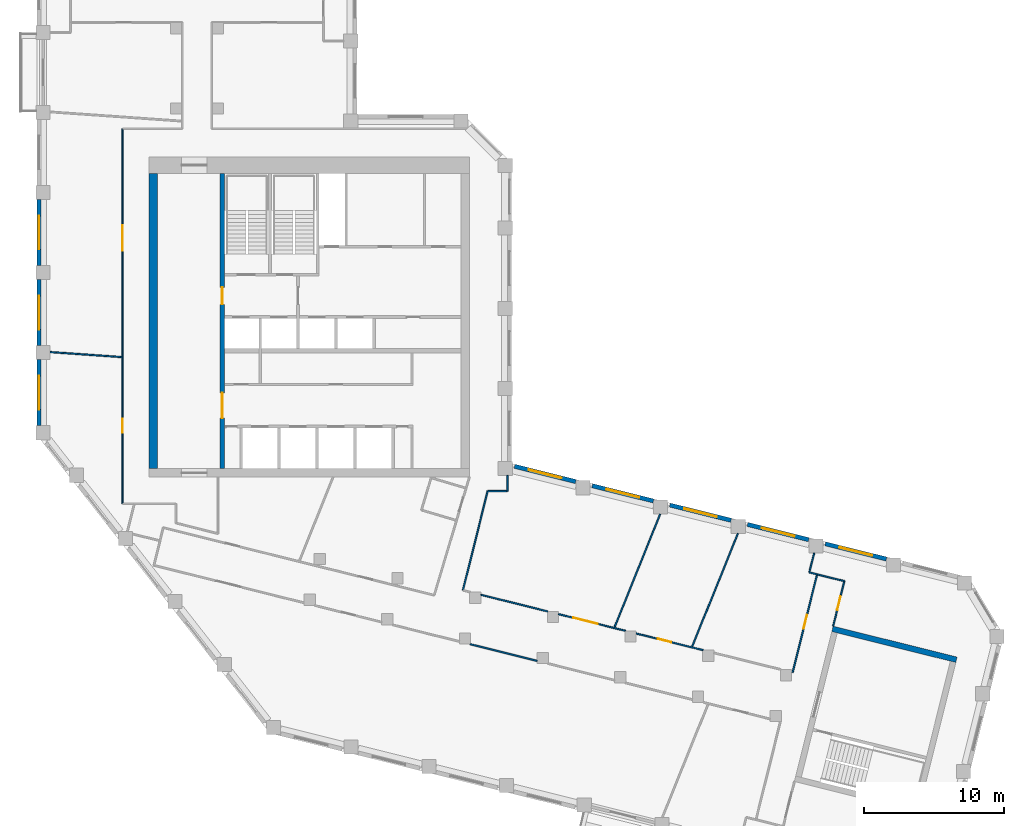
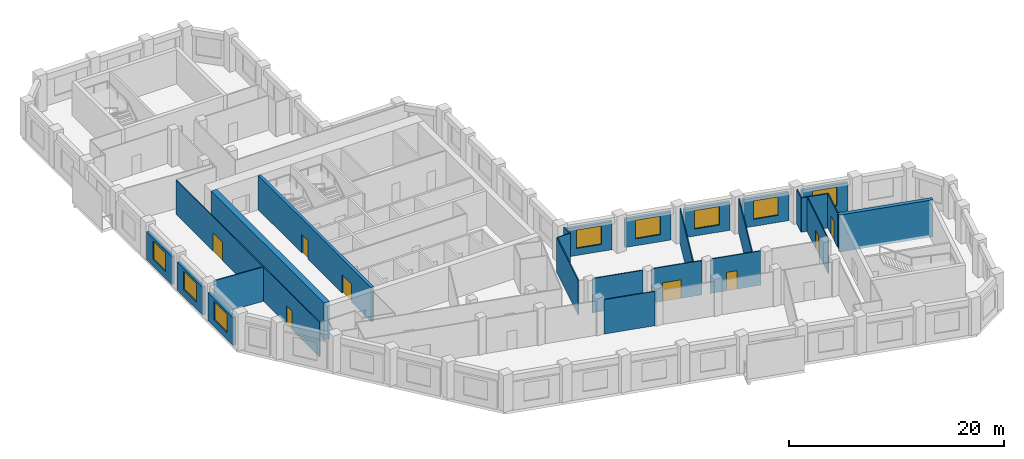
# One storey, part 4 of 9: 27 walls, 8 doors, 8 windows, 16 openings.
"""IFC4 building model written with IfcOpenShell, lengths in metres."""

import ifcopenshell
import ifcopenshell.guid

model = None  # the IFC model being written
_history = None  # IfcOwnerHistory: only IFC2X3 demands one
_inside = {}  # id of a spatial element -> (the spatial element, [elements in it])
_under = {}  # id of a project, library or spatial element -> (it, [spatial elements below it])
_declared = {}  # id of a project -> (the project, [libraries it declares])
_typed = {}  # id of a type object -> (the type object, [elements of that type])
_made_of = {}  # id of a material, layer set ... -> (it, [elements and type objects made of it])


def new_model(schema):
    """Start an empty IFC model of exactly this schema.

    Asked for "IFC4X3", IfcOpenShell would pick the latest addendum, in which some entities
    have other attributes; the version numbers below select the first issue.
    IFC2X3 requires an IfcOwnerHistory on every rooted entity: one is made here for all.
    """
    global model, _history
    if schema == "IFC4X3":
        model = ifcopenshell.file(schema_version=(4, 3, 0, 0))
    else:
        model = ifcopenshell.file(schema=schema)
    _inside.clear()
    _under.clear()
    _declared.clear()
    _typed.clear()
    _made_of.clear()
    _history = None
    if model.schema == "IFC2X3":
        org = make("IfcOrganization", Name="unknown")
        user = make(
            "IfcPersonAndOrganization",
            ThePerson=make("IfcPerson", FamilyName="unknown"),
            TheOrganization=org,
        )
        app = make(
            "IfcApplication",
            ApplicationDeveloper=org,
            Version="unknown",
            ApplicationFullName="unknown",
            ApplicationIdentifier="unknown",
        )
        _history = make(
            "IfcOwnerHistory",
            OwningUser=user,
            OwningApplication=app,
            ChangeAction="ADDED",
            CreationDate=0,
        )
    return model


def make(cls, **values):
    """One entity of the class cls with the attributes given. An attribute that is None is left unset."""
    return model.create_entity(
        cls, **{name: value for name, value in values.items() if value is not None}
    )


def rooted(cls, **values):
    """An entity with a GlobalId (a new one), such as an element, a storey or a relation."""
    return make(cls, GlobalId=ifcopenshell.guid.new(), OwnerHistory=_history, **values)


def si_unit(unit_type, name, prefix=None):
    """IfcSIUnit, for example si_unit("LENGTHUNIT", "METRE", prefix="MILLI")."""
    return make("IfcSIUnit", UnitType=unit_type, Prefix=prefix, Name=name)


def assignment(units):
    """IfcUnitAssignment: the units of a project."""
    return None if units is None else make("IfcUnitAssignment", Units=units)


def point(xyz):
    """IfcCartesianPoint."""
    return None if xyz is None else make("IfcCartesianPoint", Coordinates=xyz)


def direction(xyz):
    """IfcDirection."""
    return None if xyz is None else make("IfcDirection", DirectionRatios=xyz)


def frame(location, z_axis=None, x_axis=None):
    """IfcAxis2Placement3D, a coordinate frame: its origin and axes. An axis left out is left unset."""
    return make(
        "IfcAxis2Placement3D",
        Location=point(location),
        Axis=direction(z_axis),
        RefDirection=direction(x_axis),
    )


def frame_2d(location, x_axis=None):
    """IfcAxis2Placement2D, a coordinate frame in the plane: its origin and x axis."""
    return make(
        "IfcAxis2Placement2D", Location=point(location), RefDirection=direction(x_axis)
    )


def origin():
    """The frame at (0, 0, 0) with its axes left unset."""
    return frame((0.0, 0.0, 0.0))


def place(relative_to, where):
    """IfcLocalPlacement: puts the frame where relative to a parent placement (None: the world)."""
    return make(
        "IfcLocalPlacement", PlacementRelTo=relative_to, RelativePlacement=where
    )


def context(
    kind, dimensions, precision=None, world=None, true_north=None, identifier=None
):
    """IfcGeometricRepresentationContext, for example the 3D "Model" context."""
    return make(
        "IfcGeometricRepresentationContext",
        ContextIdentifier=identifier,
        ContextType=kind,
        CoordinateSpaceDimension=dimensions,
        Precision=precision,
        WorldCoordinateSystem=world,
        TrueNorth=true_north,
    )


def subcontext(parent, identifier, kind, view, scale=None):
    """IfcGeometricRepresentationSubContext, for example "Body" below "Model"."""
    return make(
        "IfcGeometricRepresentationSubContext",
        ContextIdentifier=identifier,
        ContextType=kind,
        ParentContext=parent,
        TargetScale=scale,
        TargetView=view,
    )


def project(units=None, contexts=None):
    """IfcProject with its units and contexts."""
    return rooted(
        "IfcProject",
        Name="project",
        RepresentationContexts=contexts,
        UnitsInContext=assignment(units),
    )


def spatial(cls, under=None, at=None, **own):
    """A site, building, storey or space (cls), placed at a placement, below another one or the project."""
    s = rooted(cls, ObjectPlacement=at, **own)
    if under is not None:
        _under.setdefault(under.id(), (under, []))[1].append(s)
    return s


def profile(cls, at=None, kind="AREA", **sizes):
    """A parametric profile (cls). Its sizes go by their IFC names, for example OverallWidth=200.0."""
    return make(cls, ProfileType=kind, Position=at, **sizes)


def rectangle(**sizes):
    """IfcRectangleProfileDef."""
    return profile("IfcRectangleProfileDef", **sizes)


def extrude(swept, where, along, depth):
    """IfcExtrudedAreaSolid: the profile swept, set in the frame where, extruded along a direction by depth."""
    return make(
        "IfcExtrudedAreaSolid",
        SweptArea=swept,
        Position=where,
        ExtrudedDirection=direction(along),
        Depth=depth,
    )


def shape(context_of_items, identifier, shape_type, items):
    """IfcShapeRepresentation: the items that make up one representation, for example the "Body"."""
    return make(
        "IfcShapeRepresentation",
        ContextOfItems=context_of_items,
        RepresentationIdentifier=identifier,
        RepresentationType=shape_type,
        Items=items,
    )


def material(Name=None, Category=None):
    """IfcMaterial."""
    return make("IfcMaterial", Name=Name, Category=Category)


def layer(
    of_material, thickness, ventilated=None, Name=None, Category=None, Priority=None
):
    """IfcMaterialLayer: one layer of a wall or slab, of a material (None: an air gap)."""
    return make(
        "IfcMaterialLayer",
        Material=of_material,
        LayerThickness=thickness,
        IsVentilated=ventilated,
        Name=Name,
        Category=Category,
        Priority=Priority,
    )


def layer_set(layers, Name=None):
    """IfcMaterialLayerSet."""
    return make("IfcMaterialLayerSet", MaterialLayers=layers, LayerSetName=Name)


def made_of(thing, what):
    """Note that an element or type object is made of a material, layer set ...; save() writes the relation."""
    if what is not None:
        _made_of.setdefault(what.id(), (what, []))[1].append(thing)
    return thing


def type_object(cls, material=None, **own):
    """A type object (cls), such as IfcWallType, which elements share."""
    return made_of(rooted(cls, **own), material)


def element(
    cls,
    number,
    at=None,
    inside=None,
    cuts=None,
    type_object=None,
    material=None,
    context=None,
    identifier="Body",
    shape_type=None,
    held_by="IfcProductDefinitionShape",
    body=None,
    shapes=None,
    **own,
):
    """One element of the class cls, such as IfcWall. Its Tag is "e" and its number.

    at: its placement. inside: the storey or other place that contains it. cuts: it is an
    opening in that element (IfcRelVoidsElement). A single representation is given by context,
    identifier, shape_type and body (its items); several are given by shapes. held_by: the class
    of the entity that holds the representations. save() writes the other relations.
    """
    e = rooted(cls, Tag="e%d" % number, ObjectPlacement=at, **own)
    if body is not None:
        shapes = [shape(context, identifier, shape_type, body)]
    if shapes is not None:
        e.Representation = make(held_by, Representations=shapes)
    if inside is not None:
        _inside.setdefault(inside.id(), (inside, []))[1].append(e)
    if cuts is not None:
        rooted(
            "IfcRelVoidsElement", RelatingBuildingElement=cuts, RelatedOpeningElement=e
        )
    if type_object is not None:
        _typed.setdefault(type_object.id(), (type_object, []))[1].append(e)
    return made_of(e, material)


def fill(opening, filler):
    """IfcRelFillsElement: the door or window that sits in an opening."""
    return rooted(
        "IfcRelFillsElement",
        RelatingOpeningElement=opening,
        RelatedBuildingElement=filler,
    )


def aggregate(whole, parts):
    """IfcRelAggregates: a whole, such as a stair, and the parts it consists of."""
    return rooted("IfcRelAggregates", RelatingObject=whole, RelatedObjects=parts)


def save(model, path):
    """Write the relations noted so far, then the file.

    IfcRelAggregates (storeys below a building ...), IfcRelContainedInSpatialStructure (elements
    in a storey), IfcRelDefinesByType, IfcRelAssociatesMaterial and IfcRelDeclares: one each for
    every whole, place, type object, material and project.
    """
    for whole, parts in _under.values():
        aggregate(whole, parts)
    for where, things in _inside.values():
        rooted(
            "IfcRelContainedInSpatialStructure",
            RelatedElements=things,
            RelatingStructure=where,
        )
    for kind, things in _typed.values():
        rooted("IfcRelDefinesByType", RelatedObjects=things, RelatingType=kind)
    for what, things in _made_of.values():
        rooted("IfcRelAssociatesMaterial", RelatedObjects=things, RelatingMaterial=what)
    for by, libraries in _declared.values():
        rooted("IfcRelDeclares", RelatingContext=by, RelatedDefinitions=libraries)
    model.write(path)


model = new_model("IFC4")

# Units and contexts
model_context = context("Model", 3, precision=1e-05, world=origin(), true_north=direction((0.0, 1.0)))
body_context = subcontext(model_context, "Body", "Model", "MODEL_VIEW")
ifc_project = project(units=[si_unit("LENGTHUNIT", "METRE"), si_unit("AREAUNIT", "SQUARE_METRE"), si_unit("VOLUMEUNIT", "CUBIC_METRE"), si_unit("PLANEANGLEUNIT", "RADIAN"), si_unit("MASSUNIT", "GRAM", prefix="KILO")], contexts=[model_context])

# Site, building, storey
site_placement = place(None, origin())
site = spatial("IfcSite", under=ifc_project, at=site_placement, CompositionType="ELEMENT")
building_placement = place(site_placement, origin())
building = spatial("IfcBuilding", under=site, at=building_placement, Name="Meshkara Civic Tower", CompositionType="ELEMENT")
storey_placement = place(building_placement, frame((0.0, 0.0, 302.39990234375)))
storey = spatial("IfcBuildingStorey", under=building, at=storey_placement, Name="L69", CompositionType="ELEMENT", Elevation=302.39990234375)

# Wall
ifc_material_1 = material(Name="Concrete C60", Category="concrete")
ifc_layer_1 = layer(ifc_material_1, 0.60009765625)
ifc_layer_set_1 = layer_set([ifc_layer_1], Name="Core ring wall 600 C60")
wall_type_1 = type_object("IfcWallType", Name="Core ring wall 600 C60", PredefinedType="SHEAR", material=ifc_layer_set_1)
wall_1_placement = place(storey_placement, frame((8.300048828125, 14.699951171875, -0.2998046875), z_axis=(0.0, 0.0, 1.0), x_axis=(0.0, 1.0, 0.0)))
element("IfcWall", 1, at=wall_1_placement, inside=storey, type_object=wall_type_1, Name="L69-C003", PredefinedType="SHEAR", context=body_context, shape_type="SweptSolid", body=[
    extrude(rectangle(XDim=21.0, YDim=0.60009765625, at=frame_2d((10.5, 0.0))), origin(), (0.0, 0.0, 1.0), 4.199951171875),
])

# Wall, openings, doors
ifc_material_2 = material(Name="Concrete C60", Category="concrete")
ifc_layer_2 = layer(ifc_material_2, 0.300048828125)
ifc_layer_set_2 = layer_set([ifc_layer_2], Name="Core shear wall 300 C60")
wall_type_2 = type_object("IfcWallType", Name="Core shear wall 300 C60", PredefinedType="SHEAR", material=ifc_layer_set_2)
wall_2_placement = place(storey_placement, frame((13.199951171875, 14.699951171875, 0.0), z_axis=(0.0, 0.0, 1.0), x_axis=(0.0, 1.0, 0.0)))
wall_2 = element("IfcWall", 2, at=wall_2_placement, inside=storey, type_object=wall_type_2, Name="L69-C011", PredefinedType="SHEAR", context=body_context, shape_type="SweptSolid", body=[
    extrude(rectangle(XDim=21.0, YDim=0.300048828125, at=frame_2d((10.5, 0.0))), origin(), (0.0, 0.0, 1.0), 3.900146484375),
])
opening_1_placement = place(wall_2_placement, frame((3.60009765625, 0.0, 0.0)))
opening_1 = element("IfcOpeningElement", 3, at=opening_1_placement, cuts=wall_2, Name="Opening L69-K019", PredefinedType="OPENING", context=body_context, shape_type="SweptSolid", body=[
    extrude(rectangle(XDim=1.800048828125, YDim=2.10009765625, at=frame_2d((0.89990234375, 1.050048828125))), frame((0.0, 0.159912109375, 0.0), z_axis=(0.0, -1.0, 0.0), x_axis=(1.0, 0.0, 0.0)), (0.0, 0.0, 1.0), 0.320068359375),
])
opening_2_placement = place(wall_2_placement, frame((11.699951171875, 0.0, 0.0)))
opening_2 = element("IfcOpeningElement", 4, at=opening_2_placement, cuts=wall_2, Name="Opening L69-K020", PredefinedType="OPENING", context=body_context, shape_type="SweptSolid", body=[
    extrude(rectangle(XDim=1.199951171875, YDim=2.10009765625, at=frame_2d((0.60009765625, 1.050048828125))), frame((0.0, 0.159912109375, 0.0), z_axis=(0.0, -1.0, 0.0), x_axis=(1.0, 0.0, 0.0)), (0.0, 0.0, 1.0), 0.320068359375),
])
ifc_material_3 = material(Name="Fire-rated door leaf in steel frame", Category="steel")
door_type_1 = type_object("IfcDoorType", Name="Core double door 1800 EI 60", OperationType="DOUBLE_DOOR_SINGLE_SWING", PredefinedType="DOOR", material=ifc_material_3)
door_1_placement = place(opening_1_placement, origin())
door_1 = element("IfcDoor", 5, at=door_1_placement, inside=storey, type_object=door_type_1, Name="L69-K019", OperationType="DOUBLE_DOOR_SINGLE_SWING", OverallHeight=2.10009765625, OverallWidth=1.800048828125, PredefinedType="DOOR", context=body_context, shape_type="SweptSolid", body=[
    extrude(rectangle(XDim=1.800048828125, YDim=2.10009765625, at=frame_2d((0.89990234375, 1.050048828125))), frame((0.0, 0.02490234375, 0.0), z_axis=(0.0, -1.0, 0.0), x_axis=(1.0, 0.0, 0.0)), (0.0, 0.0, 1.0), 0.050048828125),
])
fill(opening_1, door_1)
ifc_material_4 = material(Name="Fire-rated door leaf in steel frame", Category="steel")
door_type_2 = type_object("IfcDoorType", Name="Fire-fighting lobby door 1200 EI 120", OperationType="SINGLE_SWING_LEFT", PredefinedType="DOOR", material=ifc_material_4)
door_2_placement = place(opening_2_placement, origin())
door_2 = element("IfcDoor", 6, at=door_2_placement, inside=storey, type_object=door_type_2, Name="L69-K020", OperationType="SINGLE_SWING_LEFT", OverallHeight=2.10009765625, OverallWidth=1.199951171875, PredefinedType="DOOR", context=body_context, shape_type="SweptSolid", body=[
    extrude(rectangle(XDim=1.199951171875, YDim=2.10009765625, at=frame_2d((0.60009765625, 1.050048828125))), frame((0.0, 0.02490234375, 0.0), z_axis=(0.0, -1.0, 0.0), x_axis=(1.0, 0.0, 0.0)), (0.0, 0.0, 1.0), 0.050048828125),
])
fill(opening_2, door_2)

ifc_material_5 = material(Name="Corridor wall 100")
ifc_layer_3 = layer(ifc_material_5, 0.10009765625)
ifc_layer_set_3 = layer_set([ifc_layer_3], Name="Corridor wall 100")
wall_type_3 = type_object("IfcWallType", Name="Corridor wall 100", PredefinedType="PARTITIONING", material=ifc_layer_set_3)
wall_3_placement = place(storey_placement, frame((6.10009765625, 38.89990234375, 0.0), z_axis=(0.0, 0.0, 1.0), x_axis=(0.0, -1.0, 0.0)))
wall_3 = element("IfcWall", 7, at=wall_3_placement, inside=storey, type_object=wall_type_3, Name="L69-W005", PredefinedType="PARTITIONING", context=body_context, shape_type="SweptSolid", body=[
    extrude(rectangle(XDim=26.699951171875, YDim=0.10009765625, at=frame_2d((13.35009765625, 0.0))), origin(), (0.0, 0.0, 1.0), 3.900146484375),
])
opening_3_placement = place(wall_3_placement, frame((20.635986328125, 0.0, 0.0)))
opening_3 = element("IfcOpeningElement", 8, at=opening_3_placement, cuts=wall_3, Name="Opening L69-D011", PredefinedType="OPENING", context=body_context, shape_type="SweptSolid", body=[
    extrude(rectangle(XDim=1.0, YDim=2.10009765625, at=frame_2d((0.5, 1.050048828125))), frame((0.0, 0.06005859375, 0.0), z_axis=(0.0, -1.0, 0.0), x_axis=(1.0, 0.0, 0.0)), (0.0, 0.0, 1.0), 0.1201171875),
])
opening_4_placement = place(wall_3_placement, frame((6.8798828125, 0.0, 0.0)))
opening_4 = element("IfcOpeningElement", 9, at=opening_4_placement, cuts=wall_3, Name="Opening L69-D013", PredefinedType="OPENING", context=body_context, shape_type="SweptSolid", body=[
    extrude(rectangle(XDim=1.800048828125, YDim=2.10009765625, at=frame_2d((0.89990234375, 1.050048828125))), frame((0.0, 0.06005859375, 0.0), z_axis=(0.0, -1.0, 0.0), x_axis=(1.0, 0.0, 0.0)), (0.0, 0.0, 1.0), 0.1201171875),
])
ifc_material_6 = material(Name="Door 1000 x 2100")
door_type_3 = type_object("IfcDoorType", Name="Door 1000 x 2100", OperationType="SINGLE_SWING_LEFT", PredefinedType="DOOR", material=ifc_material_6)
door_3_placement = place(opening_3_placement, origin())
door_3 = element("IfcDoor", 10, at=door_3_placement, inside=storey, type_object=door_type_3, Name="L69-D011", OperationType="SINGLE_SWING_RIGHT", OverallHeight=2.10009765625, OverallWidth=1.0, PredefinedType="DOOR", context=body_context, shape_type="SweptSolid", body=[
    extrude(rectangle(XDim=1.0, YDim=2.10009765625, at=frame_2d((0.5, 1.050048828125))), frame((0.0, 0.02490234375, 0.0), z_axis=(0.0, -1.0, 0.0), x_axis=(1.0, 0.0, 0.0)), (0.0, 0.0, 1.0), 0.050048828125),
])
fill(opening_3, door_3)
ifc_material_7 = material(Name="Door pair 1800 x 2100")
door_type_4 = type_object("IfcDoorType", Name="Door pair 1800 x 2100", OperationType="SINGLE_SWING_LEFT", PredefinedType="DOOR", material=ifc_material_7)
door_4_placement = place(opening_4_placement, origin())
door_4 = element("IfcDoor", 11, at=door_4_placement, inside=storey, type_object=door_type_4, Name="L69-D013", OperationType="DOUBLE_DOOR_SINGLE_SWING", OverallHeight=2.10009765625, OverallWidth=1.800048828125, PredefinedType="DOOR", context=body_context, shape_type="SweptSolid", body=[
    extrude(rectangle(XDim=1.800048828125, YDim=2.10009765625, at=frame_2d((0.89990234375, 1.050048828125))), frame((0.0, 0.02490234375, 0.0), z_axis=(0.0, -1.0, 0.0), x_axis=(1.0, 0.0, 0.0)), (0.0, 0.0, 1.0), 0.050048828125),
])
fill(opening_4, door_4)

# Walls
wall_4_placement = place(storey_placement, frame((30.3359375, 6.0400390625, 0.0), z_axis=(0.0, 0.0, 1.0), x_axis=(0.2420145387, 0.970272623059, 0.0)))
element("IfcWall", 12, at=wall_4_placement, inside=storey, type_object=wall_type_3, Name="L69-W021", PredefinedType="PARTITIONING", context=body_context, shape_type="SweptSolid", body=[
    extrude(rectangle(XDim=7.2763671875, YDim=0.10009765625, at=frame_2d((3.63818359375, 0.0))), origin(), (0.0, 0.0, 1.0), 3.900146484375),
])
wall_5_placement = place(storey_placement, frame((30.85107421875, 2.201904296875, 0.0), z_axis=(0.0, 0.0, 1.0), x_axis=(0.970297297406, -0.241915594055, 0.0)))
element("IfcWall", 13, at=wall_5_placement, inside=storey, type_object=wall_type_3, Name="L69-W023", PredefinedType="PARTITIONING", context=body_context, shape_type="SweptSolid", body=[
    extrude(rectangle(XDim=4.91064453125, YDim=0.10009765625, at=frame_2d((2.455322265625, 0.0))), origin(), (0.0, 0.0, 1.0), 3.900146484375),
])
wall_6_placement = place(storey_placement, frame((32.096923828125, 13.10009765625, 0.0), z_axis=(0.0, 0.0, 1.0), x_axis=(1.0, 0.0, 0.0)))
element("IfcWall", 14, at=wall_6_placement, inside=storey, type_object=wall_type_3, Name="L69-W025", PredefinedType="PARTITIONING", context=body_context, shape_type="SweptSolid", body=[
    extrude(rectangle(XDim=1.403076171875, YDim=0.10009765625, at=frame_2d((0.70166015625, 0.0))), origin(), (0.0, 0.0, 1.0), 3.900146484375),
])
wall_7_placement = place(storey_placement, frame((33.5, 13.10009765625, 0.0), z_axis=(0.0, 0.0, 1.0), x_axis=(0.0, 1.0, 0.0)))
element("IfcWall", 15, at=wall_7_placement, inside=storey, type_object=wall_type_3, Name="L69-W026", PredefinedType="PARTITIONING", context=body_context, shape_type="SweptSolid", body=[
    extrude(rectangle(XDim=1.118896484375, YDim=0.10009765625, at=frame_2d((0.5595703125, 0.0))), origin(), (0.0, 0.0, 1.0), 3.900146484375),
])
wall_8_placement = place(storey_placement, frame((36.376953125, 4.533935546875, 0.0), z_axis=(0.0, 0.0, 1.0), x_axis=(-0.970308932068, 0.2418689239, 0.0)))
element("IfcWall", 16, at=wall_8_placement, inside=storey, type_object=wall_type_3, Name="L69-W028", PredefinedType="PARTITIONING", context=body_context, shape_type="SweptSolid", body=[
    extrude(rectangle(XDim=4.91162109375, YDim=0.10009765625, at=frame_2d((2.455810546875, 0.0))), origin(), (0.0, 0.0, 1.0), 3.900146484375),
])

# Wall, opening, door
wall_9_placement = place(storey_placement, frame((37.14208984375, 4.343017578125, 0.0), z_axis=(0.0, 0.0, 1.0), x_axis=(0.970320559999, -0.241822271189, 0.0)))
wall_9 = element("IfcWall", 17, at=wall_9_placement, inside=storey, type_object=wall_type_3, Name="L69-W029", PredefinedType="PARTITIONING", context=body_context, shape_type="SweptSolid", body=[
    extrude(rectangle(XDim=4.91259765625, YDim=0.10009765625, at=frame_2d((2.456298828125, 0.0))), origin(), (0.0, 0.0, 1.0), 3.900146484375),
])
opening_5_placement = place(wall_9_placement, frame((1.080078125, 0.0, 0.0)))
opening_5 = element("IfcOpeningElement", 18, at=opening_5_placement, cuts=wall_9, Name="Opening L69-D004", PredefinedType="OPENING", context=body_context, shape_type="SweptSolid", body=[
    extrude(rectangle(XDim=1.800048828125, YDim=2.10009765625, at=frame_2d((0.89990234375, 1.050048828125))), frame((0.0, 0.06005859375, 0.0), z_axis=(0.0, -1.0, 0.0), x_axis=(1.0, 0.0, 0.0)), (0.0, 0.0, 1.0), 0.1201171875),
])
door_5_placement = place(opening_5_placement, origin())
door_5 = element("IfcDoor", 19, at=door_5_placement, inside=storey, type_object=door_type_4, Name="L69-D004", OperationType="DOUBLE_DOOR_SINGLE_SWING", OverallHeight=2.10009765625, OverallWidth=1.800048828125, PredefinedType="DOOR", context=body_context, shape_type="SweptSolid", body=[
    extrude(rectangle(XDim=1.800048828125, YDim=2.10009765625, at=frame_2d((0.89990234375, 1.050048828125))), frame((0.0, 0.02490234375, 0.0), z_axis=(0.0, -1.0, 0.0), x_axis=(1.0, 0.0, 0.0)), (0.0, 0.0, 1.0), 0.050048828125),
])
fill(opening_5, door_5)

wall_10_placement = place(storey_placement, frame((42.672119140625, 2.965087890625, 0.0), z_axis=(0.0, 0.0, 1.0), x_axis=(0.970273873313, -0.242009526187, 0.0)))
wall_10 = element("IfcWall", 20, at=wall_10_placement, inside=storey, type_object=wall_type_3, Name="L69-W031", PredefinedType="PARTITIONING", context=body_context, shape_type="SweptSolid", body=[
    extrude(rectangle(XDim=4.913818359375, YDim=0.10009765625, at=frame_2d((2.45703125, 0.0))), origin(), (0.0, 0.0, 1.0), 3.900146484375),
])
opening_6_placement = place(wall_10_placement, frame((1.580078125, 0.0, 0.0)))
opening_6 = element("IfcOpeningElement", 21, at=opening_6_placement, cuts=wall_10, Name="Opening L69-D005", PredefinedType="OPENING", context=body_context, shape_type="SweptSolid", body=[
    extrude(rectangle(XDim=1.0, YDim=2.10009765625, at=frame_2d((0.5, 1.050048828125))), frame((0.0, 0.06005859375, 0.0), z_axis=(0.0, -1.0, 0.0), x_axis=(1.0, 0.0, 0.0)), (0.0, 0.0, 1.0), 0.1201171875),
])
door_6_placement = place(opening_6_placement, origin())
door_6 = element("IfcDoor", 22, at=door_6_placement, inside=storey, type_object=door_type_3, Name="L69-D005", OperationType="SINGLE_SWING_RIGHT", OverallHeight=2.10009765625, OverallWidth=1.0, PredefinedType="DOOR", context=body_context, shape_type="SweptSolid", body=[
    extrude(rectangle(XDim=1.0, YDim=2.10009765625, at=frame_2d((0.5, 1.050048828125))), frame((0.0, 0.02490234375, 0.0), z_axis=(0.0, -1.0, 0.0), x_axis=(1.0, 0.0, 0.0)), (0.0, 0.0, 1.0), 0.050048828125),
])
fill(opening_6, door_6)

wall_11_placement = place(storey_placement, frame((55.555908203125, 7.173095703125, 0.0), z_axis=(0.0, 0.0, 1.0), x_axis=(-0.241937193493, -0.970291911955, 0.0)))
wall_11 = element("IfcWall", 23, at=wall_11_placement, inside=storey, type_object=wall_type_3, Name="L69-W037", PredefinedType="PARTITIONING", context=body_context, shape_type="SweptSolid", body=[
    extrude(rectangle(XDim=7.199951171875, YDim=0.10009765625, at=frame_2d((3.60009765625, 0.0))), origin(), (0.0, 0.0, 1.0), 3.900146484375),
])
opening_7_placement = place(wall_11_placement, frame((2.97998046875, 0.0, 0.0)))
opening_7 = element("IfcOpeningElement", 24, at=opening_7_placement, cuts=wall_11, Name="Opening L69-D006", PredefinedType="OPENING", context=body_context, shape_type="SweptSolid", body=[
    extrude(rectangle(XDim=1.0, YDim=2.10009765625, at=frame_2d((0.5, 1.050048828125))), frame((0.0, 0.06005859375, 0.0), z_axis=(0.0, -1.0, 0.0), x_axis=(1.0, 0.0, 0.0)), (0.0, 0.0, 1.0), 0.1201171875),
])
door_7_placement = place(opening_7_placement, origin())
door_7 = element("IfcDoor", 25, at=door_7_placement, inside=storey, type_object=door_type_3, Name="L69-D006", OperationType="SINGLE_SWING_RIGHT", OverallHeight=2.10009765625, OverallWidth=1.0, PredefinedType="DOOR", context=body_context, shape_type="SweptSolid", body=[
    extrude(rectangle(XDim=1.0, YDim=2.10009765625, at=frame_2d((0.5, 1.050048828125))), frame((0.0, 0.02490234375, 0.0), z_axis=(0.0, -1.0, 0.0), x_axis=(1.0, 0.0, 0.0)), (0.0, 0.0, 1.0), 0.050048828125),
])
fill(opening_7, door_7)

wall_12_placement = place(storey_placement, frame((56.697998046875, 3.487060546875, 0.0), z_axis=(0.0, 0.0, 1.0), x_axis=(0.241856645367, 0.970311992656, 0.0)))
wall_12 = element("IfcWall", 26, at=wall_12_placement, inside=storey, type_object=wall_type_3, Name="L69-W038", PredefinedType="PARTITIONING", context=body_context, shape_type="SweptSolid", body=[
    extrude(rectangle(XDim=3.2998046875, YDim=0.10009765625, at=frame_2d((1.64990234375, 0.0))), origin(), (0.0, 0.0, 1.0), 3.900146484375),
])
opening_8_placement = place(wall_12_placement, frame((1.179931640625, 0.0, 0.0)))
opening_8 = element("IfcOpeningElement", 27, at=opening_8_placement, cuts=wall_12, Name="Opening L69-D007", PredefinedType="OPENING", context=body_context, shape_type="SweptSolid", body=[
    extrude(rectangle(XDim=1.0, YDim=2.10009765625, at=frame_2d((0.5, 1.050048828125))), frame((0.0, 0.06005859375, 0.0), z_axis=(0.0, -1.0, 0.0), x_axis=(1.0, 0.0, 0.0)), (0.0, 0.0, 1.0), 0.1201171875),
])
door_8_placement = place(opening_8_placement, origin())
door_8 = element("IfcDoor", 28, at=door_8_placement, inside=storey, type_object=door_type_3, Name="L69-D007", OperationType="SINGLE_SWING_LEFT", OverallHeight=2.10009765625, OverallWidth=1.0, PredefinedType="DOOR", context=body_context, shape_type="SweptSolid", body=[
    extrude(rectangle(XDim=1.0, YDim=2.10009765625, at=frame_2d((0.5, 1.050048828125))), frame((0.0, 0.02490234375, 0.0), z_axis=(0.0, -1.0, 0.0), x_axis=(1.0, 0.0, 0.0)), (0.0, 0.0, 1.0), 0.050048828125),
])
fill(opening_8, door_8)

# Wall
wall_13_placement = place(storey_placement, frame((57.49609375, 6.68896484375, 0.0), z_axis=(0.0, 0.0, 1.0), x_axis=(-0.970250131019, 0.242104694829, 0.0)))
element("IfcWall", 29, at=wall_13_placement, inside=storey, type_object=wall_type_3, Name="L69-W039", PredefinedType="PARTITIONING", context=body_context, shape_type="SweptSolid", body=[
    extrude(rectangle(XDim=1.999755859375, YDim=0.10009765625, at=frame_2d((1.0, 0.0))), origin(), (0.0, 0.0, 1.0), 3.900146484375),
])

# Wall, opening, window
ifc_material_8 = material(Name="Insulated infill panel with bronze anodised aluminium cladding", Category="aluminium")
ifc_layer_4 = layer(ifc_material_8, 0.300048828125)
ifc_layer_set_4 = layer_set([ifc_layer_4], Name="EXTERNAL INFILL WALL 300")
wall_type_4 = type_object("IfcWallType", Name="EXTERNAL INFILL WALL 300", PredefinedType="SOLIDWALL", material=ifc_layer_set_4)
wall_14_placement = place(storey_placement, frame((60.488037109375, 8.261962890625, 0.0), z_axis=(0.0, 0.0, 1.0), x_axis=(-0.970276766004, 0.241997928406, 0.0)))
wall_14 = element("IfcWall", 30, at=wall_14_placement, inside=storey, type_object=wall_type_4, Name="External wall", PredefinedType="SOLIDWALL", context=body_context, shape_type="SweptSolid", body=[
    extrude(rectangle(XDim=4.4873046875, YDim=0.300048828125, at=frame_2d((2.24365234375, 0.0))), origin(), (0.0, 0.0, 1.0), 3.2001953125),
])
opening_9_placement = place(wall_14_placement, frame((1.0439453125, 0.0, 0.800048828125)))
opening_9 = element("IfcOpeningElement", 31, at=opening_9_placement, cuts=wall_14, Name="Opening W7", PredefinedType="OPENING", context=body_context, shape_type="SweptSolid", body=[
    extrude(rectangle(XDim=2.39990234375, YDim=2.10009765625, at=frame_2d((1.199951171875, 1.050048828125))), frame((0.0, 0.159912109375, 0.0), z_axis=(0.0, -1.0, 0.0), x_axis=(1.0, 0.0, 0.0)), (0.0, 0.0, 1.0), 0.320068359375),
])
ifc_material_9 = material(Name="Tinted double glazing", Category="glass")
window_type = type_object("IfcWindowType", Name="WINDOW 2400x2100", PartitioningType="DOUBLE_PANEL_VERTICAL", PredefinedType="WINDOW", material=ifc_material_9)
window_1_placement = place(opening_9_placement, origin())
window_1 = element("IfcWindow", 32, at=window_1_placement, inside=storey, type_object=window_type, Name="Window", OverallHeight=2.10009765625, OverallWidth=2.39990234375, PartitioningType="DOUBLE_PANEL_VERTICAL", PredefinedType="WINDOW", context=body_context, shape_type="SweptSolid", body=[
    extrude(rectangle(XDim=2.39990234375, YDim=2.10009765625, at=frame_2d((1.199951171875, 1.050048828125))), frame((0.0, 0.030029296875, 0.0), z_axis=(0.0, -1.0, 0.0), x_axis=(1.0, 0.0, 0.0)), (0.0, 0.0, 1.0), 0.06005859375),
])
fill(opening_9, window_1)

wall_15_placement = place(storey_placement, frame((54.9580078125, 9.64111328125, 0.0), z_axis=(0.0, 0.0, 1.0), x_axis=(-0.970289506684, 0.241946839653, 0.0)))
wall_15 = element("IfcWall", 33, at=wall_15_placement, inside=storey, type_object=wall_type_4, Name="External wall", PredefinedType="SOLIDWALL", context=body_context, shape_type="SweptSolid", body=[
    extrude(rectangle(XDim=4.48828125, YDim=0.300048828125, at=frame_2d((2.244140625, 0.0))), origin(), (0.0, 0.0, 1.0), 3.2001953125),
])
opening_10_placement = place(wall_15_placement, frame((1.0439453125, 0.0, 0.800048828125)))
opening_10 = element("IfcOpeningElement", 34, at=opening_10_placement, cuts=wall_15, Name="Opening W7", PredefinedType="OPENING", context=body_context, shape_type="SweptSolid", body=[
    extrude(rectangle(XDim=2.39990234375, YDim=2.10009765625, at=frame_2d((1.199951171875, 1.050048828125))), frame((0.0, 0.159912109375, 0.0), z_axis=(0.0, -1.0, 0.0), x_axis=(1.0, 0.0, 0.0)), (0.0, 0.0, 1.0), 0.320068359375),
])
window_2_placement = place(opening_10_placement, origin())
window_2 = element("IfcWindow", 35, at=window_2_placement, inside=storey, type_object=window_type, Name="Window", OverallHeight=2.10009765625, OverallWidth=2.39990234375, PartitioningType="DOUBLE_PANEL_VERTICAL", PredefinedType="WINDOW", context=body_context, shape_type="SweptSolid", body=[
    extrude(rectangle(XDim=2.39990234375, YDim=2.10009765625, at=frame_2d((1.199951171875, 1.050048828125))), frame((0.0, 0.030029296875, 0.0), z_axis=(0.0, -1.0, 0.0), x_axis=(1.0, 0.0, 0.0)), (0.0, 0.0, 1.0), 0.06005859375),
])
fill(opening_10, window_2)

wall_16_placement = place(storey_placement, frame((49.427001953125, 11.02001953125, 0.0), z_axis=(0.0, 0.0, 1.0), x_axis=(-0.970289506684, 0.241946839653, 0.0)))
wall_16 = element("IfcWall", 36, at=wall_16_placement, inside=storey, type_object=wall_type_4, Name="External wall", PredefinedType="SOLIDWALL", context=body_context, shape_type="SweptSolid", body=[
    extrude(rectangle(XDim=4.48828125, YDim=0.300048828125, at=frame_2d((2.244140625, 0.0))), origin(), (0.0, 0.0, 1.0), 3.2001953125),
])
opening_11_placement = place(wall_16_placement, frame((1.0439453125, 0.0, 0.800048828125)))
opening_11 = element("IfcOpeningElement", 37, at=opening_11_placement, cuts=wall_16, Name="Opening W7", PredefinedType="OPENING", context=body_context, shape_type="SweptSolid", body=[
    extrude(rectangle(XDim=2.39990234375, YDim=2.10009765625, at=frame_2d((1.199951171875, 1.050048828125))), frame((0.0, 0.159912109375, 0.0), z_axis=(0.0, -1.0, 0.0), x_axis=(1.0, 0.0, 0.0)), (0.0, 0.0, 1.0), 0.320068359375),
])
window_3_placement = place(opening_11_placement, origin())
window_3 = element("IfcWindow", 38, at=window_3_placement, inside=storey, type_object=window_type, Name="Window", OverallHeight=2.10009765625, OverallWidth=2.39990234375, PartitioningType="DOUBLE_PANEL_VERTICAL", PredefinedType="WINDOW", context=body_context, shape_type="SweptSolid", body=[
    extrude(rectangle(XDim=2.39990234375, YDim=2.10009765625, at=frame_2d((1.199951171875, 1.050048828125))), frame((0.0, 0.030029296875, 0.0), z_axis=(0.0, -1.0, 0.0), x_axis=(1.0, 0.0, 0.0)), (0.0, 0.0, 1.0), 0.06005859375),
])
fill(opening_11, window_3)

wall_17_placement = place(storey_placement, frame((43.89599609375, 12.39892578125, 0.0), z_axis=(0.0, 0.0, 1.0), x_axis=(-0.970263990019, 0.242049147224, 0.0)))
wall_17 = element("IfcWall", 39, at=wall_17_placement, inside=storey, type_object=wall_type_4, Name="External wall", PredefinedType="SOLIDWALL", context=body_context, shape_type="SweptSolid", body=[
    extrude(rectangle(XDim=4.487548828125, YDim=0.300048828125, at=frame_2d((2.24365234375, 0.0))), origin(), (0.0, 0.0, 1.0), 3.2001953125),
])
opening_12_placement = place(wall_17_placement, frame((1.0439453125, 0.0, 0.800048828125)))
opening_12 = element("IfcOpeningElement", 40, at=opening_12_placement, cuts=wall_17, Name="Opening W7", PredefinedType="OPENING", context=body_context, shape_type="SweptSolid", body=[
    extrude(rectangle(XDim=2.39990234375, YDim=2.10009765625, at=frame_2d((1.199951171875, 1.050048828125))), frame((0.0, 0.159912109375, 0.0), z_axis=(0.0, -1.0, 0.0), x_axis=(1.0, 0.0, 0.0)), (0.0, 0.0, 1.0), 0.320068359375),
])
window_4_placement = place(opening_12_placement, origin())
window_4 = element("IfcWindow", 41, at=window_4_placement, inside=storey, type_object=window_type, Name="Window", OverallHeight=2.10009765625, OverallWidth=2.39990234375, PartitioningType="DOUBLE_PANEL_VERTICAL", PredefinedType="WINDOW", context=body_context, shape_type="SweptSolid", body=[
    extrude(rectangle(XDim=2.39990234375, YDim=2.10009765625, at=frame_2d((1.199951171875, 1.050048828125))), frame((0.0, 0.030029296875, 0.0), z_axis=(0.0, -1.0, 0.0), x_axis=(1.0, 0.0, 0.0)), (0.0, 0.0, 1.0), 0.06005859375),
])
fill(opening_12, window_4)

wall_18_placement = place(storey_placement, frame((38.365966796875, 13.778076171875, 0.0), z_axis=(0.0, 0.0, 1.0), x_axis=(-0.970289506684, 0.241946839653, 0.0)))
wall_18 = element("IfcWall", 42, at=wall_18_placement, inside=storey, type_object=wall_type_4, Name="External wall", PredefinedType="SOLIDWALL", context=body_context, shape_type="SweptSolid", body=[
    extrude(rectangle(XDim=4.48828125, YDim=0.300048828125, at=frame_2d((2.244140625, 0.0))), origin(), (0.0, 0.0, 1.0), 3.2001953125),
])
opening_13_placement = place(wall_18_placement, frame((1.0439453125, 0.0, 0.800048828125)))
opening_13 = element("IfcOpeningElement", 43, at=opening_13_placement, cuts=wall_18, Name="Opening W7", PredefinedType="OPENING", context=body_context, shape_type="SweptSolid", body=[
    extrude(rectangle(XDim=2.39990234375, YDim=2.10009765625, at=frame_2d((1.199951171875, 1.050048828125))), frame((0.0, 0.159912109375, 0.0), z_axis=(0.0, -1.0, 0.0), x_axis=(1.0, 0.0, 0.0)), (0.0, 0.0, 1.0), 0.320068359375),
])
window_5_placement = place(opening_13_placement, origin())
window_5 = element("IfcWindow", 44, at=window_5_placement, inside=storey, type_object=window_type, Name="Window", OverallHeight=2.10009765625, OverallWidth=2.39990234375, PartitioningType="DOUBLE_PANEL_VERTICAL", PredefinedType="WINDOW", context=body_context, shape_type="SweptSolid", body=[
    extrude(rectangle(XDim=2.39990234375, YDim=2.10009765625, at=frame_2d((1.199951171875, 1.050048828125))), frame((0.0, 0.030029296875, 0.0), z_axis=(0.0, -1.0, 0.0), x_axis=(1.0, 0.0, 0.0)), (0.0, 0.0, 1.0), 0.06005859375),
])
fill(opening_13, window_5)

wall_19_placement = place(storey_placement, frame((0.14990234375, 33.85498046875, 0.0), z_axis=(0.0, 0.0, 1.0), x_axis=(0.0, -1.0, 0.0)))
wall_19 = element("IfcWall", 45, at=wall_19_placement, inside=storey, type_object=wall_type_4, Name="External wall", PredefinedType="SOLIDWALL", context=body_context, shape_type="SweptSolid", body=[
    extrude(rectangle(XDim=4.699951171875, YDim=0.300048828125, at=frame_2d((2.35009765625, 0.0))), origin(), (0.0, 0.0, 1.0), 3.2001953125),
])
opening_14_placement = place(wall_19_placement, frame((1.14990234375, 0.0, 0.800048828125)))
opening_14 = element("IfcOpeningElement", 46, at=opening_14_placement, cuts=wall_19, Name="Opening W7", PredefinedType="OPENING", context=body_context, shape_type="SweptSolid", body=[
    extrude(rectangle(XDim=2.39990234375, YDim=2.10009765625, at=frame_2d((1.199951171875, 1.050048828125))), frame((0.0, 0.159912109375, 0.0), z_axis=(0.0, -1.0, 0.0), x_axis=(1.0, 0.0, 0.0)), (0.0, 0.0, 1.0), 0.320068359375),
])
window_6_placement = place(opening_14_placement, origin())
window_6 = element("IfcWindow", 47, at=window_6_placement, inside=storey, type_object=window_type, Name="Window", OverallHeight=2.10009765625, OverallWidth=2.39990234375, PartitioningType="DOUBLE_PANEL_VERTICAL", PredefinedType="WINDOW", context=body_context, shape_type="SweptSolid", body=[
    extrude(rectangle(XDim=2.39990234375, YDim=2.10009765625, at=frame_2d((1.199951171875, 1.050048828125))), frame((0.0, 0.030029296875, 0.0), z_axis=(0.0, -1.0, 0.0), x_axis=(1.0, 0.0, 0.0)), (0.0, 0.0, 1.0), 0.06005859375),
])
fill(opening_14, window_6)

wall_20_placement = place(storey_placement, frame((0.14990234375, 28.155029296875, 0.0), z_axis=(0.0, 0.0, 1.0), x_axis=(0.0, -1.0, 0.0)))
wall_20 = element("IfcWall", 48, at=wall_20_placement, inside=storey, type_object=wall_type_4, Name="External wall", PredefinedType="SOLIDWALL", context=body_context, shape_type="SweptSolid", body=[
    extrude(rectangle(XDim=4.699951171875, YDim=0.300048828125, at=frame_2d((2.35009765625, 0.0))), origin(), (0.0, 0.0, 1.0), 3.2001953125),
])
opening_15_placement = place(wall_20_placement, frame((1.14990234375, 0.0, 0.800048828125)))
opening_15 = element("IfcOpeningElement", 49, at=opening_15_placement, cuts=wall_20, Name="Opening W7", PredefinedType="OPENING", context=body_context, shape_type="SweptSolid", body=[
    extrude(rectangle(XDim=2.39990234375, YDim=2.10009765625, at=frame_2d((1.199951171875, 1.050048828125))), frame((0.0, 0.159912109375, 0.0), z_axis=(0.0, -1.0, 0.0), x_axis=(1.0, 0.0, 0.0)), (0.0, 0.0, 1.0), 0.320068359375),
])
window_7_placement = place(opening_15_placement, origin())
window_7 = element("IfcWindow", 50, at=window_7_placement, inside=storey, type_object=window_type, Name="Window", OverallHeight=2.10009765625, OverallWidth=2.39990234375, PartitioningType="DOUBLE_PANEL_VERTICAL", PredefinedType="WINDOW", context=body_context, shape_type="SweptSolid", body=[
    extrude(rectangle(XDim=2.39990234375, YDim=2.10009765625, at=frame_2d((1.199951171875, 1.050048828125))), frame((0.0, 0.030029296875, 0.0), z_axis=(0.0, -1.0, 0.0), x_axis=(1.0, 0.0, 0.0)), (0.0, 0.0, 1.0), 0.06005859375),
])
fill(opening_15, window_7)

wall_21_placement = place(storey_placement, frame((0.14990234375, 22.455078125, 0.0), z_axis=(0.0, 0.0, 1.0), x_axis=(0.0, -1.0, 0.0)))
wall_21 = element("IfcWall", 51, at=wall_21_placement, inside=storey, type_object=wall_type_4, Name="External wall", PredefinedType="SOLIDWALL", context=body_context, shape_type="SweptSolid", body=[
    extrude(rectangle(XDim=4.7001953125, YDim=0.300048828125, at=frame_2d((2.35009765625, 0.0))), origin(), (0.0, 0.0, 1.0), 3.2001953125),
])
opening_16_placement = place(wall_21_placement, frame((1.14990234375, 0.0, 0.800048828125)))
opening_16 = element("IfcOpeningElement", 52, at=opening_16_placement, cuts=wall_21, Name="Opening W7", PredefinedType="OPENING", context=body_context, shape_type="SweptSolid", body=[
    extrude(rectangle(XDim=2.39990234375, YDim=2.10009765625, at=frame_2d((1.199951171875, 1.050048828125))), frame((0.0, 0.159912109375, 0.0), z_axis=(0.0, -1.0, 0.0), x_axis=(1.0, 0.0, 0.0)), (0.0, 0.0, 1.0), 0.320068359375),
])
window_8_placement = place(opening_16_placement, origin())
window_8 = element("IfcWindow", 53, at=window_8_placement, inside=storey, type_object=window_type, Name="Window", OverallHeight=2.10009765625, OverallWidth=2.39990234375, PartitioningType="DOUBLE_PANEL_VERTICAL", PredefinedType="WINDOW", context=body_context, shape_type="SweptSolid", body=[
    extrude(rectangle(XDim=2.39990234375, YDim=2.10009765625, at=frame_2d((1.199951171875, 1.050048828125))), frame((0.0, 0.030029296875, 0.0), z_axis=(0.0, -1.0, 0.0), x_axis=(1.0, 0.0, 0.0)), (0.0, 0.0, 1.0), 0.06005859375),
])
fill(opening_16, window_8)

# Walls
ifc_material_10 = material(Name="Concrete C60", Category="concrete")
ifc_layer_5 = layer(ifc_material_10, 0.39990234375)
ifc_layer_set_5 = layer_set([ifc_layer_5], Name="End core ring wall 400 C60")
wall_type_5 = type_object("IfcWallType", Name="End core ring wall 400 C60", PredefinedType="SHEAR", material=ifc_layer_set_5)
wall_22_placement = place(storey_placement, frame((56.64892578125, 3.29296875, -0.2998046875), z_axis=(0.0, 0.0, 1.0), x_axis=(0.970312696888, -0.241853820019, 0.0)))
element("IfcWall", 54, at=wall_22_placement, inside=storey, type_object=wall_type_5, Name="L69-C033", PredefinedType="SHEAR", context=body_context, shape_type="SweptSolid", body=[
    extrude(rectangle(XDim=9.100341796875, YDim=0.39990234375, at=frame_2d((4.55029296875, 0.0))), origin(), (0.0, 0.0, 1.0), 4.199951171875),
])
ifc_material_11 = material(Name="Partition 100")
ifc_layer_6 = layer(ifc_material_11, 0.10009765625)
ifc_layer_set_6 = layer_set([ifc_layer_6], Name="Partition 100")
wall_type_6 = type_object("IfcWallType", Name="Partition 100", PredefinedType="PARTITIONING", material=ifc_layer_set_6)
wall_23_placement = place(storey_placement, frame((6.047119140625, 22.64404296875, 0.0), z_axis=(0.0, 0.0, 1.0), x_axis=(-0.997570469691, 0.069664610825, 0.0)))
element("IfcWall", 55, at=wall_23_placement, inside=storey, type_object=wall_type_6, Name="L69-W042", PredefinedType="PARTITIONING", context=body_context, shape_type="SweptSolid", body=[
    extrude(rectangle(XDim=5.109619140625, YDim=0.10009765625, at=frame_2d((2.5546875, 0.0))), origin(), (0.0, 0.0, 1.0), 3.900146484375),
])
for number, where, z_axis, x_axis, name in (
    (56, (41.12890625, 3.407958984375, 0.0), (0.0, 0.0, 1.0), (0.374562973491, 0.927201476967, 0.0), "L69-W052"),
    (57, (46.659912109375, 2.029052734375, 0.0), (0.0, 0.0, 1.0), (0.374562973491, 0.927201476967, 0.0), "L69-W054"),
):
    element("IfcWall", number, at=place(storey_placement, frame(where, z_axis=z_axis, x_axis=x_axis)), inside=storey, type_object=wall_type_6, Name=name, PredefinedType="PARTITIONING", context=body_context, shape_type="SweptSolid", body=[
        extrude(rectangle(XDim=8.685302734375, YDim=0.10009765625, at=frame_2d((4.3427734375, 0.0))), origin(), (0.0, 0.0, 1.0), 3.900146484375),
    ])
wall_24_placement = place(storey_placement, frame((55.0009765625, 7.31103515625, 0.0), z_axis=(0.0, 0.0, 1.0), x_axis=(0.24185476373, 0.970312461664, 0.0)))
element("IfcWall", 58, at=wall_24_placement, inside=storey, type_object=wall_type_6, Name="L69-W057", PredefinedType="PARTITIONING", context=body_context, shape_type="SweptSolid", body=[
    extrude(rectangle(XDim=1.434326171875, YDim=0.10009765625, at=frame_2d((0.71728515625, 0.0))), origin(), (0.0, 0.0, 1.0), 3.900146484375),
])
wall_25_placement = place(storey_placement, frame((55.56005859375, 7.172119140625, 0.0), z_axis=(0.0, 0.0, 1.0), x_axis=(-0.970490503334, 0.241139343405, 0.0)))
element("IfcWall", 59, at=wall_25_placement, inside=storey, type_object=wall_type_6, Name="L69-W058", PredefinedType="PARTITIONING", context=body_context, shape_type="SweptSolid", body=[
    extrude(rectangle(XDim=0.576171875, YDim=0.10009765625, at=frame_2d((0.2880859375, 0.0))), origin(), (0.0, 0.0, 1.0), 3.900146484375),
])

save(model, "model.ifc")
